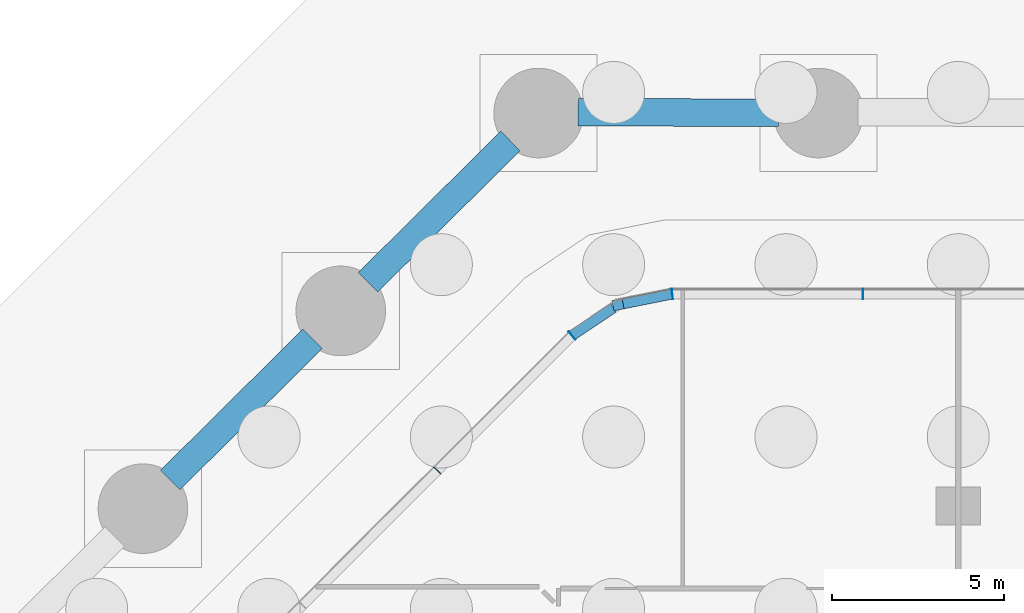
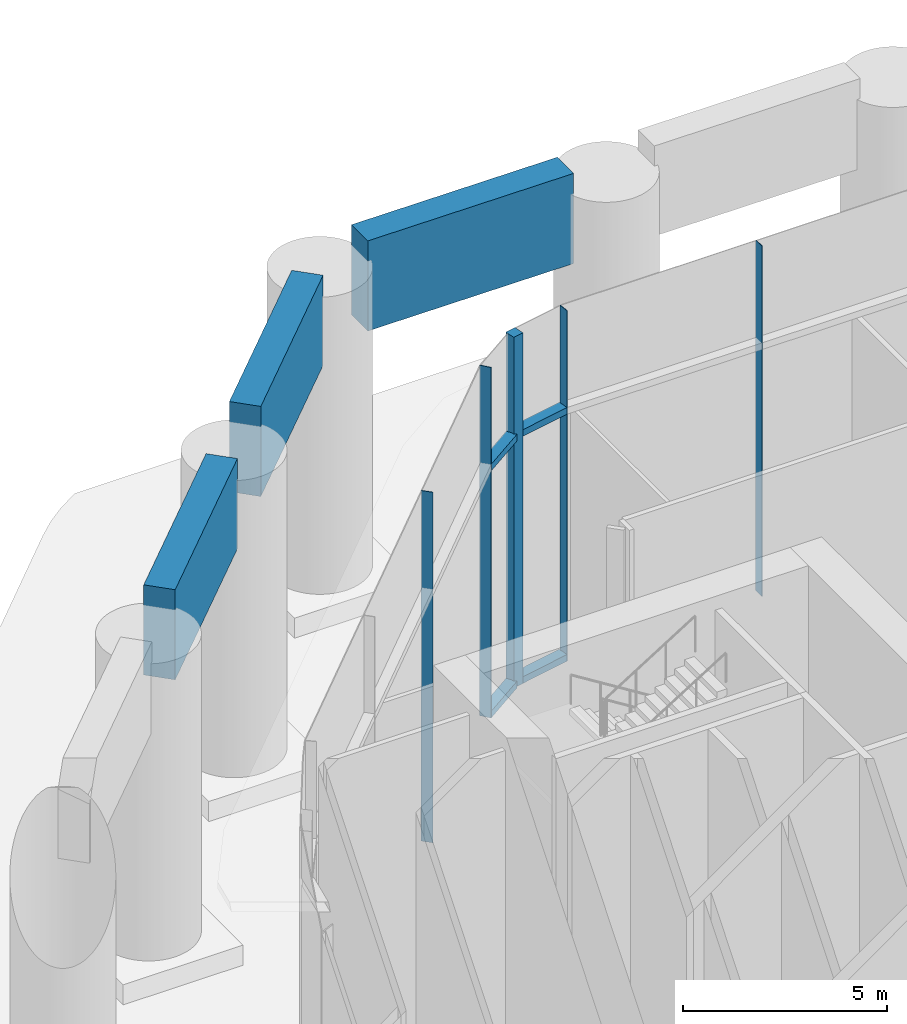
# One storey, part 17 of 31: 9 members, 3 beams, 4 elements without a shape of their own.
"""IFC4 building model written with IfcOpenShell, lengths in metres."""

from ifc_helpers import new_model, si_unit, direction, frame, origin, origin_2d, place, context, subcontext, project, spatial, rectangle, extrude, material, material_profile, profile_set, type_object, element, aggregate, save


model = new_model("IFC4")

# Units and contexts
model_context = context("Model", 3, precision=1e-05, world=origin(), true_north=direction((0.0, 1.0)))
body_context = subcontext(model_context, "Body", "Model", "MODEL_VIEW")
ifc_project = project(units=[si_unit("LENGTHUNIT", "METRE"), si_unit("AREAUNIT", "SQUARE_METRE"), si_unit("VOLUMEUNIT", "CUBIC_METRE"), si_unit("PLANEANGLEUNIT", "RADIAN"), si_unit("MASSUNIT", "GRAM", prefix="KILO")], contexts=[model_context])

# Site, building, storey
site_placement = place(None, origin())
site = spatial("IfcSite", under=ifc_project, at=site_placement, CompositionType="ELEMENT")
building_placement = place(site_placement, origin())
building = spatial("IfcBuilding", under=site, at=building_placement, Name="Orlundy Tower", CompositionType="ELEMENT")
storey_placement = place(building_placement, origin())
storey = spatial("IfcBuildingStorey", under=building, at=storey_placement, Name="L00", CompositionType="ELEMENT", Elevation=0.0)

# Curtain wall, member
ifc_material_1 = material(Name="Aluminium bronze anodised", Category="aluminium")
curtain_wall_type = type_object("IfcCurtainWallType", Name="CW3 wall", PredefinedType="NOTDEFINED", material=ifc_material_1)
curtain_wall_1_placement = place(storey_placement, origin())
curtain_wall_1 = element("IfcCurtainWall", 1, at=curtain_wall_1_placement, inside=storey, type_object=curtain_wall_type, Name="CW3 run 010", PredefinedType="NOTDEFINED")
ifc_material_2 = material(Name="Aluminium bronze anodised", Category="aluminium")
ifc_material_profile_1 = material_profile(ifc_material_2, rectangle(XDim=0.300048828125, YDim=0.300048828125, at=origin_2d()), Name="CW3 corner post 300x300")
ifc_profile_set_1 = profile_set([ifc_material_profile_1], Name="Aluminium bronze anodised")
member_type_1 = type_object("IfcMemberType", Name="CW3 corner post 300x300", PredefinedType="MULLION", material=ifc_profile_set_1)
member_1_placement = place(storey_placement, frame((-9.87353515625, 23.83740234375, -0.39990234375), z_axis=(0.0, 0.0, 1.0), x_axis=(-0.19476070508, 0.980850787713, 0.0)))
member_1 = element("IfcMember", 2, at=member_1_placement, type_object=member_type_1, Name="CW3 mullion 17", PredefinedType="MULLION", context=body_context, shape_type="SweptSolid", body=[
    extrude(rectangle(XDim=0.300048828125, YDim=0.300048828125, at=origin_2d()), origin(), (0.0, 0.0, 1.0), 10.5),
])

curtain_wall_2_placement = place(storey_placement, origin())
curtain_wall_2 = element("IfcCurtainWall", 3, at=curtain_wall_2_placement, inside=storey, type_object=curtain_wall_type, Name="CW3 run 08", PredefinedType="NOTDEFINED")
ifc_material_3 = material(Name="Toughened glass", Category="glass")
ifc_material_profile_2 = material_profile(ifc_material_3, rectangle(XDim=0.300048828125, YDim=0.01904296875, at=origin_2d()), Name="CW3 glass fin 19x300")
ifc_profile_set_2 = profile_set([ifc_material_profile_2], Name="Toughened glass")
member_type_2 = type_object("IfcMemberType", Name="CW3 glass fin 19x300", PredefinedType="MULLION", material=ifc_profile_set_2)
member_2_placement = place(storey_placement, frame((-15.123291015625, 19.02880859375, -0.39990234375), z_axis=(0.0, 0.0, 1.0), x_axis=(-0.707106781187, 0.707106781187, 0.0)))
member_2 = element("IfcMember", 4, at=member_2_placement, type_object=member_type_2, Name="CW3 mullion 15", PredefinedType="MULLION", context=body_context, shape_type="SweptSolid", body=[
    extrude(rectangle(XDim=0.300048828125, YDim=0.01904296875, at=origin_2d()), origin(), (0.0, 0.0, 1.0), 10.5),
])
aggregate(curtain_wall_2, [member_2])

curtain_wall_3_placement = place(storey_placement, origin())
curtain_wall_3 = element("IfcCurtainWall", 5, at=curtain_wall_3_placement, inside=storey, type_object=curtain_wall_type, Name="CW3 run 09", PredefinedType="NOTDEFINED")
member_3_placement = place(storey_placement, frame((-11.207763671875, 22.944580078125, -0.39990234375), z_axis=(0.0, 0.0, 1.0), x_axis=(-0.63467582541, 0.772778491315, 0.0)))
member_3 = element("IfcMember", 6, at=member_3_placement, type_object=member_type_2, Name="CW3 mullion 16", PredefinedType="MULLION", context=body_context, shape_type="SweptSolid", body=[
    extrude(rectangle(XDim=0.300048828125, YDim=0.01904296875, at=origin_2d()), origin(), (0.0, 0.0, 1.0), 10.5),
])

# Curtain wall, members
curtain_wall_4_placement = place(storey_placement, origin())
curtain_wall_4 = element("IfcCurtainWall", 7, at=curtain_wall_4_placement, inside=storey, type_object=curtain_wall_type, Name="CW3 run 011", PredefinedType="NOTDEFINED")
member_4_placement = place(storey_placement, frame((-8.298828125, 24.14990234375, -0.39990234375), z_axis=(0.0, 0.0, 1.0), x_axis=(-0.097849916421, 0.995201182604, 0.0)))
member_4 = element("IfcMember", 8, at=member_4_placement, type_object=member_type_2, Name="CW3 mullion 18", PredefinedType="MULLION", context=body_context, shape_type="SweptSolid", body=[
    extrude(rectangle(XDim=0.300048828125, YDim=0.01904296875, at=origin_2d()), origin(), (0.0, 0.0, 1.0), 10.5),
])
member_5_placement = place(storey_placement, frame((-2.76123046875, 24.14990234375, -0.39990234375), z_axis=(0.0, 0.0, 1.0), x_axis=(0.0, 1.0, 0.0)))
member_5 = element("IfcMember", 9, at=member_5_placement, type_object=member_type_2, Name="CW3 mullion 19", PredefinedType="MULLION", context=body_context, shape_type="SweptSolid", body=[
    extrude(rectangle(XDim=0.300048828125, YDim=0.01904296875, at=origin_2d()), origin(), (0.0, 0.0, 1.0), 10.5),
])
aggregate(curtain_wall_4, [member_4, member_5])

# Member
ifc_material_4 = material(Name="Aluminium bronze anodised", Category="aluminium")
ifc_material_profile_3 = material_profile(ifc_material_4, rectangle(XDim=0.300048828125, YDim=0.199951171875, at=origin_2d()), Name="CW3 transom 300x200")
ifc_profile_set_3 = profile_set([ifc_material_profile_3], Name="Aluminium bronze anodised")
member_type_3 = type_object("IfcMemberType", Name="CW3 transom 300x200", PredefinedType="USERDEFINED", material=ifc_profile_set_3)
member_6_placement = place(storey_placement, frame((-11.1953125, 22.95263671875, -0.300048828125), z_axis=(0.830996786763, 0.556277215414, 0.0), x_axis=(-0.556277215414, 0.830996786763, 0.0)))
member_6 = element("IfcMember", 10, at=member_6_placement, type_object=member_type_3, Name="CW3 transom", ObjectType="TRANSOM", PredefinedType="USERDEFINED", context=body_context, shape_type="SweptSolid", body=[
    extrude(rectangle(XDim=0.300048828125, YDim=0.199951171875, at=origin_2d()), origin(), (0.0, 0.0, 1.0), 1.42822265625),
])

member_7_placement = place(storey_placement, frame((-11.1953125, 22.95263671875, 7.10009765625), z_axis=(0.830996786763, 0.556277215414, 0.0), x_axis=(-0.556277215414, 0.830996786763, 0.0)))
member_7 = element("IfcMember", 11, at=member_7_placement, type_object=member_type_3, Name="CW3 transom", ObjectType="TRANSOM", PredefinedType="USERDEFINED", context=body_context, shape_type="SweptSolid", body=[
    extrude(rectangle(XDim=0.300048828125, YDim=0.199951171875, at=origin_2d()), origin(), (0.0, 0.0, 1.0), 1.42822265625),
])

aggregate(curtain_wall_3, [member_3, member_6, member_7])

member_8_placement = place(storey_placement, frame((-9.726318359375, 23.866455078125, -0.300048828125), z_axis=(0.980827564308, 0.194877625942, 0.0), x_axis=(-0.194877625942, 0.980827564308, 0.0)))
member_8 = element("IfcMember", 12, at=member_8_placement, type_object=member_type_3, Name="CW3 transom", ObjectType="TRANSOM", PredefinedType="USERDEFINED", context=body_context, shape_type="SweptSolid", body=[
    extrude(rectangle(XDim=0.300048828125, YDim=0.199951171875, at=origin_2d()), origin(), (0.0, 0.0, 1.0), 1.440673828125),
])

member_9_placement = place(storey_placement, frame((-9.726318359375, 23.866455078125, 7.10009765625), z_axis=(0.980827564308, 0.194877625942, 0.0), x_axis=(-0.194877625942, 0.980827564308, 0.0)))
member_9 = element("IfcMember", 13, at=member_9_placement, type_object=member_type_3, Name="CW3 transom", ObjectType="TRANSOM", PredefinedType="USERDEFINED", context=body_context, shape_type="SweptSolid", body=[
    extrude(rectangle(XDim=0.300048828125, YDim=0.199951171875, at=origin_2d()), origin(), (0.0, 0.0, 1.0), 1.440673828125),
])

aggregate(curtain_wall_1, [member_1, member_8, member_9])

# Beams
ifc_material_5 = material(Name="Concrete C80/95", Category="concrete")
ifc_material_profile_4 = material_profile(ifc_material_5, rectangle(XDim=0.800048828125, YDim=2.699951171875, at=origin_2d()), Name="RC800X2700")
ifc_profile_set_4 = profile_set([ifc_material_profile_4], Name="Concrete C80/95")
beam_type = type_object("IfcBeamType", Name="RC FASCIA BEAM RC800X2700 C80/95", PredefinedType="BEAM", material=ifc_profile_set_4)
beam_placement = place(storey_placement, frame((-22.865966796875, 18.751953125, 8.75), z_axis=(0.709954606003, 0.704247440474, 0.0), x_axis=(-0.704247440474, 0.709954606003, 0.0)))
element("IfcBeam", 14, at=beam_placement, inside=storey, type_object=beam_type, Name="Fascia beam 19", PredefinedType="BEAM", context=body_context, shape_type="SweptSolid", body=[
    extrude(rectangle(XDim=0.800048828125, YDim=2.699951171875, at=origin_2d()), origin(), (0.0, 0.0, 1.0), 5.81787109375),
])
for number, where, z_axis, x_axis, name in (
    (15, (-17.1259765625, 24.491943359375, 8.75), (0.709974738547, 0.704227144198, 0.0), (-0.704227144198, 0.709974738547, 0.0), "Fascia beam 20"),
    (16, (-11.0283203125, 29.42822265625, 8.75), (0.999991889634, -0.004027488732, 0.0), (0.004027488732, 0.999991889634, 0.0), "Fascia beam 21"),
):
    element("IfcBeam", number, at=place(storey_placement, frame(where, z_axis=z_axis, x_axis=x_axis)), inside=storey, type_object=beam_type, Name=name, PredefinedType="BEAM", context=body_context, shape_type="SweptSolid", body=[
        extrude(rectangle(XDim=0.800048828125, YDim=2.699951171875, at=origin_2d()), origin(), (0.0, 0.0, 1.0), 5.8193359375),
    ])

save(model, "model.ifc")
